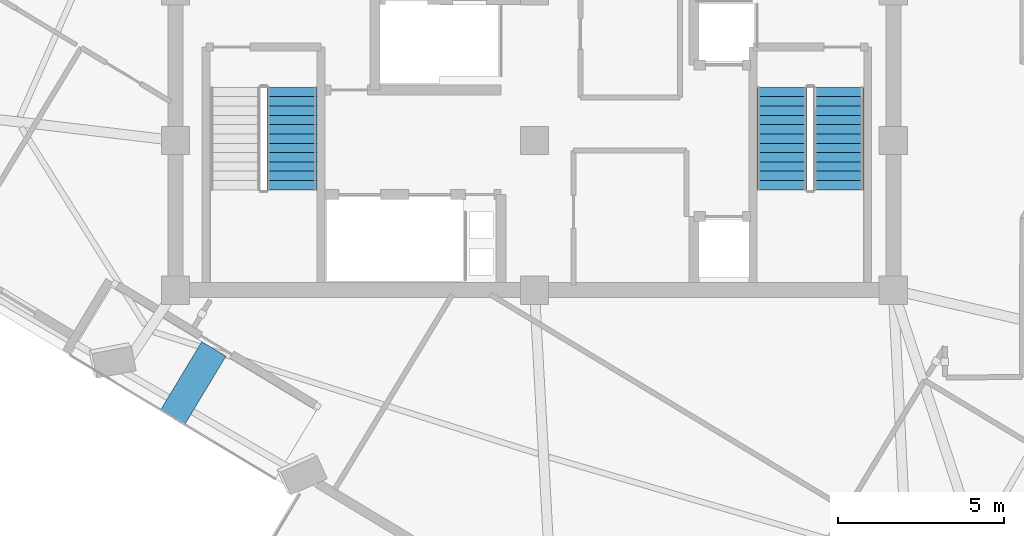
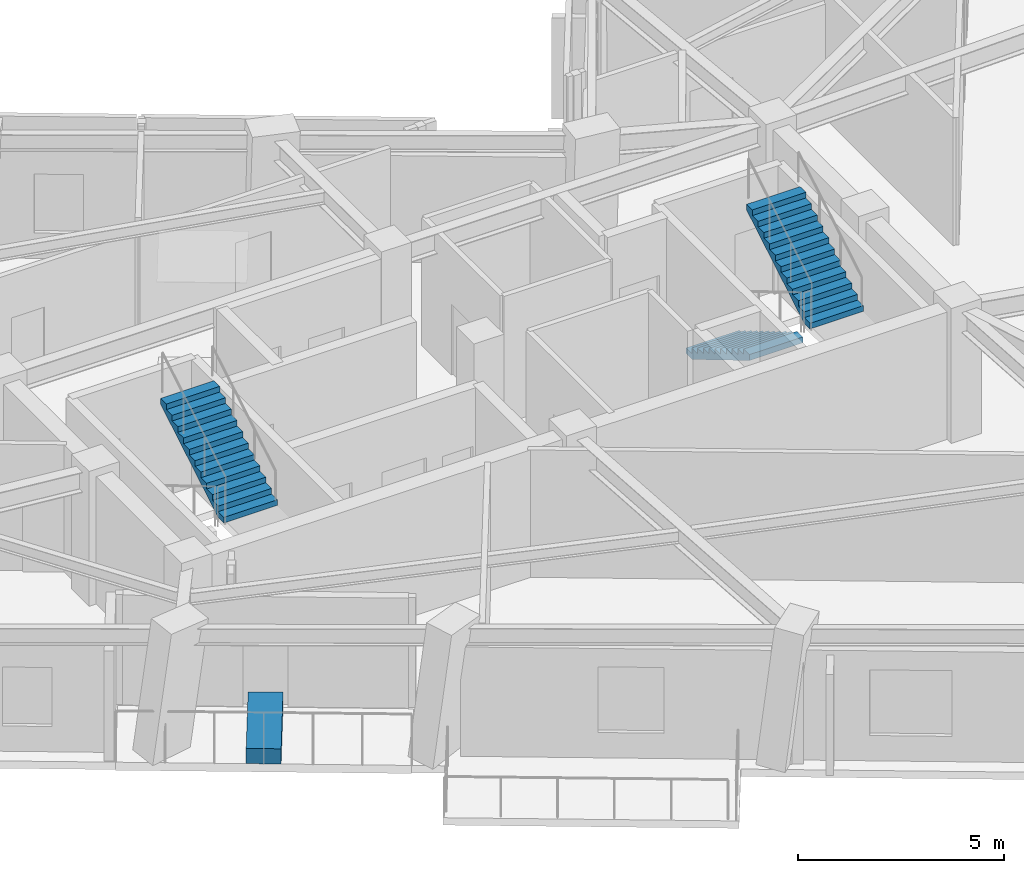
# One storey, part 8 of 12: 3 stair flights, 1 discrete accessory, 2 elements without a shape of their own.
"""IFC4 building model written with IfcOpenShell, lengths in metres."""

from ifc_helpers import new_model, si_unit, direction, frame, origin, origin_2d, place, context, subcontext, project, spatial, polyline, rectangle, outline, extrude, material, type_object, element, aggregate, save


model = new_model("IFC4")

# Units and contexts
model_context = context("Model", 3, precision=1e-05, world=origin(), true_north=direction((0.0, 1.0)))
body_context = subcontext(model_context, "Body", "Model", "MODEL_VIEW")
ifc_project = project(units=[si_unit("LENGTHUNIT", "METRE"), si_unit("AREAUNIT", "SQUARE_METRE"), si_unit("VOLUMEUNIT", "CUBIC_METRE"), si_unit("PLANEANGLEUNIT", "RADIAN"), si_unit("MASSUNIT", "GRAM", prefix="KILO")], contexts=[model_context])

# Site, building, storey
site_placement = place(None, origin())
site = spatial("IfcSite", under=ifc_project, at=site_placement, CompositionType="ELEMENT")
building_placement = place(site_placement, origin())
building = spatial("IfcBuilding", under=site, at=building_placement, Name="Gaonmaruhae Medical Tower", CompositionType="ELEMENT")
storey_placement = place(building_placement, frame((0.0, 0.0, 276.60009765625)))
storey = spatial("IfcBuildingStorey", under=building, at=storey_placement, Name="L66", CompositionType="ELEMENT", Elevation=276.60009765625)

# Stair, stair flight
ifc_material_1 = material(Name="Concrete C40/50", Category="concrete")
stair_type = type_object("IfcStairType", Name="ST-T1 Primary Core Escape Dogleg Stair", PredefinedType="TWO_QUARTER_TURN_STAIR", material=ifc_material_1)
stair_1_placement = place(storey_placement, origin())
stair_1 = element("IfcStair", 1, at=stair_1_placement, inside=storey, type_object=stair_type, Name="L66 Protected Escape Stair ST-01", PredefinedType="TWO_QUARTER_TURN_STAIR")
stair_flight_type = type_object("IfcStairFlightType", Name="SF-T1 Primary Core Precast Stair Flight", PredefinedType="STRAIGHT", material=ifc_material_1)
stair_flight_1_placement = place(storey_placement, frame((17.5, 10.820068359375, 2.0), z_axis=(0.0, 0.0, 1.0), x_axis=(0.0, 1.0, 0.0)))
stair_flight_1 = element("IfcStairFlight", 2, at=stair_flight_1_placement, type_object=stair_flight_type, Name="ST-01 flight 2", NumberOfRisers=12, NumberOfTreads=11, PredefinedType="STRAIGHT", RiserHeight=0.166666667, TreadLength=0.28, context=body_context, shape_type="SweptSolid", body=[
    extrude(outline(polyline([(0.0, 0.0), (0.0, 0.166748046875), (0.280029296875, 0.166748046875), (0.280029296875, 0.333251953125), (0.56005859375, 0.333251953125), (0.56005859375, 0.5), (0.840087890625, 0.5), (0.840087890625, 0.666748046875), (1.1201171875, 0.666748046875), (1.1201171875, 0.833251953125), (1.39990234375, 0.833251953125), (1.39990234375, 1.0), (1.679931640625, 1.0), (1.679931640625, 1.166748046875), (1.9599609375, 1.166748046875), (1.9599609375, 1.333251953125), (2.239990234375, 1.333251953125), (2.239990234375, 1.5), (2.52001953125, 1.5), (2.52001953125, 1.666748046875), (2.800048828125, 1.666748046875), (2.800048828125, 1.833251953125), (3.080078125, 1.833251953125), (3.080078125, 2.0), (3.080078125, 1.658935546875), (0.29296875, 0.0), (0.0, 0.0)])), frame((0.0, 0.75, 0.0), z_axis=(0.0, -1.0, 0.0), x_axis=(1.0, 0.0, 0.0)), (0.0, 0.0, 1.0), 1.5),
])
aggregate(stair_1, [stair_flight_1])

# Stair, stair flights
stair_2_placement = place(storey_placement, origin())
stair_2 = element("IfcStair", 3, at=stair_2_placement, inside=storey, type_object=stair_type, Name="L66 Protected Escape Stair ST-02", PredefinedType="TWO_QUARTER_TURN_STAIR")
stair_flight_2_placement = place(storey_placement, frame((32.25, 13.89990234375, 0.0), z_axis=(0.0, 0.0, 1.0), x_axis=(0.0, -1.0, 0.0)))
stair_flight_2 = element("IfcStairFlight", 4, at=stair_flight_2_placement, type_object=stair_flight_type, Name="ST-02 flight 1", NumberOfRisers=12, NumberOfTreads=11, PredefinedType="STRAIGHT", RiserHeight=0.166666667, TreadLength=0.28, context=body_context, shape_type="SweptSolid", body=[
    extrude(outline(polyline([(0.0, 0.0), (0.0, 0.166748046875), (0.280029296875, 0.166748046875), (0.280029296875, 0.333251953125), (0.56005859375, 0.333251953125), (0.56005859375, 0.5), (0.840087890625, 0.5), (0.840087890625, 0.666748046875), (1.1201171875, 0.666748046875), (1.1201171875, 0.833251953125), (1.39990234375, 0.833251953125), (1.39990234375, 1.0), (1.679931640625, 1.0), (1.679931640625, 1.166748046875), (1.9599609375, 1.166748046875), (1.9599609375, 1.333251953125), (2.239990234375, 1.333251953125), (2.239990234375, 1.5), (2.52001953125, 1.5), (2.52001953125, 1.666748046875), (2.800048828125, 1.666748046875), (2.800048828125, 1.833251953125), (3.080078125, 1.833251953125), (3.080078125, 2.0), (3.080078125, 1.658935546875), (0.29296875, 0.0), (0.0, 0.0)])), frame((0.0, 0.75, 0.0), z_axis=(0.0, -1.0, 0.0), x_axis=(1.0, 0.0, 0.0)), (0.0, 0.0, 1.0), 1.5),
])
stair_flight_3_placement = place(storey_placement, frame((33.949951171875, 10.820068359375, 2.0), z_axis=(0.0, 0.0, 1.0), x_axis=(0.0, 1.0, 0.0)))
stair_flight_3 = element("IfcStairFlight", 5, at=stair_flight_3_placement, type_object=stair_flight_type, Name="ST-02 flight 2", NumberOfRisers=12, NumberOfTreads=11, PredefinedType="STRAIGHT", RiserHeight=0.166666667, TreadLength=0.28, context=body_context, shape_type="SweptSolid", body=[
    extrude(outline(polyline([(0.0, 0.0), (0.0, 0.166748046875), (0.280029296875, 0.166748046875), (0.280029296875, 0.333251953125), (0.56005859375, 0.333251953125), (0.56005859375, 0.5), (0.840087890625, 0.5), (0.840087890625, 0.666748046875), (1.1201171875, 0.666748046875), (1.1201171875, 0.833251953125), (1.39990234375, 0.833251953125), (1.39990234375, 1.0), (1.679931640625, 1.0), (1.679931640625, 1.166748046875), (1.9599609375, 1.166748046875), (1.9599609375, 1.333251953125), (2.239990234375, 1.333251953125), (2.239990234375, 1.5), (2.52001953125, 1.5), (2.52001953125, 1.666748046875), (2.800048828125, 1.666748046875), (2.800048828125, 1.833251953125), (3.080078125, 1.833251953125), (3.080078125, 2.0), (3.080078125, 1.658935546875), (0.29296875, 0.0), (0.0, 0.0)])), frame((0.0, 0.75, 0.0), z_axis=(0.0, -1.0, 0.0), x_axis=(1.0, 0.0, 0.0)), (0.0, 0.0, 1.0), 1.5),
])
aggregate(stair_2, [stair_flight_2, stair_flight_3])

# Discrete accessory
ifc_material_2 = material(Name="Precast concrete C45/55", Category="concrete")
discrete_accessory_type = type_object("IfcDiscreteAccessoryType", Name="PLN-01 Sky Garden Precast Botanical Planter", PredefinedType="USERDEFINED", material=ifc_material_2)
discrete_accessory_placement = place(storey_placement, frame((14.53369140625, 5.0029296875, 0.0), z_axis=(0.0, 0.0, 1.0), x_axis=(0.516533328867, 0.8562670846, 0.0)))
element("IfcDiscreteAccessory", 6, at=discrete_accessory_placement, inside=storey, type_object=discrete_accessory_type, Name="L66 Sky Garden Botanical Planter SLB-L66-TER", ObjectType="PLANTER", PredefinedType="USERDEFINED", context=body_context, shape_type="SweptSolid", body=[
    extrude(rectangle(XDim=2.39990234375, YDim=0.85009765625, at=origin_2d()), origin(), (0.0, 0.0, 1.0), 0.449951171875),
])

save(model, "model.ifc")
